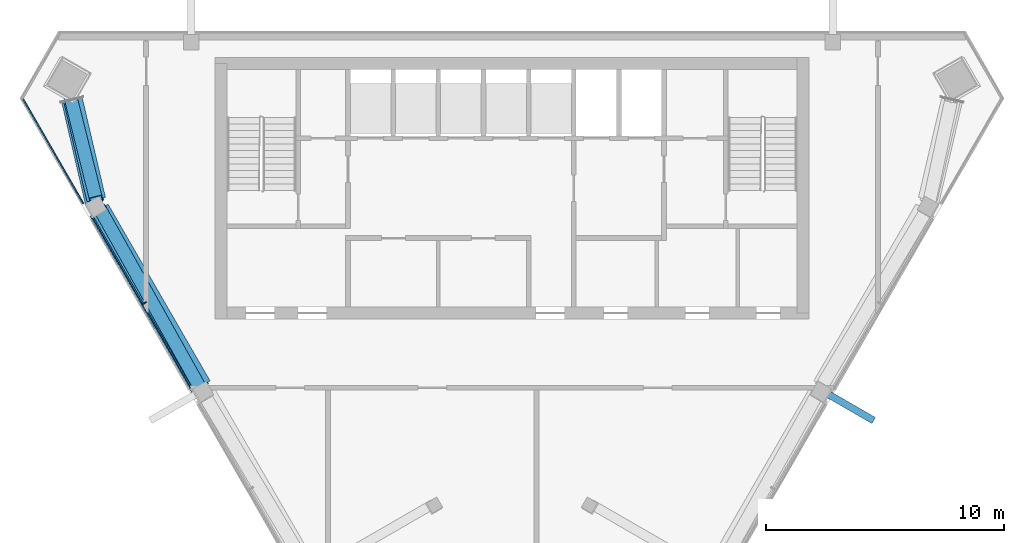
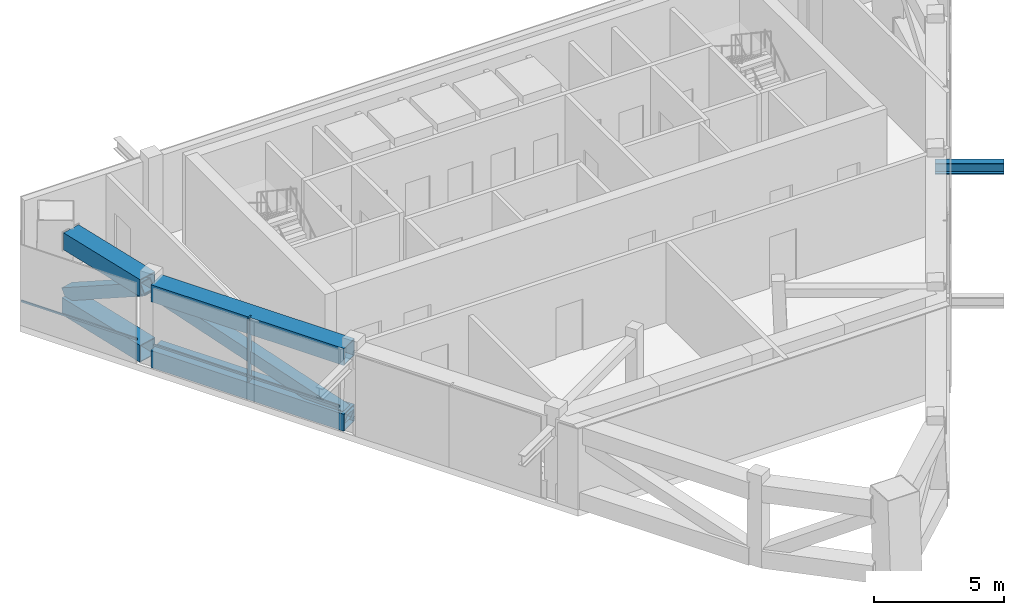
# One storey, part 3 of 9: 10 members, 1 element without a shape of its own.
"""IFC4 building model written with IfcOpenShell, lengths in metres."""

from ifc_helpers import new_model, si_unit, direction, frame, origin, origin_2d, place, context, subcontext, project, spatial, rectangle, hollow_rectangle, i_section, extrude, material, layer, layer_set, material_profile, profile_set, type_object, element, aggregate, save


model = new_model("IFC4")

# Units and contexts
model_context = context("Model", 3, precision=1e-05, world=origin(), true_north=direction((0.0, 1.0)))
body_context = subcontext(model_context, "Body", "Model", "MODEL_VIEW")
ifc_project = project(units=[si_unit("LENGTHUNIT", "METRE"), si_unit("AREAUNIT", "SQUARE_METRE"), si_unit("VOLUMEUNIT", "CUBIC_METRE"), si_unit("PLANEANGLEUNIT", "RADIAN"), si_unit("MASSUNIT", "GRAM", prefix="KILO")], contexts=[model_context])

# Site, building, storey
site_placement = place(None, origin())
site = spatial("IfcSite", under=ifc_project, at=site_placement, CompositionType="ELEMENT")
building_placement = place(site_placement, origin())
building = spatial("IfcBuilding", under=site, at=building_placement, Name="Altiplano Prism Tower", CompositionType="ELEMENT")
storey_placement = place(building_placement, frame((0.0, 0.0, 343.0)))
storey = spatial("IfcBuildingStorey", under=building, at=storey_placement, Name="L89", CompositionType="ELEMENT", Elevation=343.0)

# Member
ifc_material_1 = material(Name="Steel S355", Category="steel")
ifc_material_profile_1 = material_profile(ifc_material_1, i_section(OverallWidth=0.300048828125, OverallDepth=0.5, WebThickness=0.014404296875, FlangeThickness=0.028076171875, FilletRadius=0.027099609375, at=origin_2d()), Name="Brace bracket HEB 500")
ifc_profile_set_1 = profile_set([ifc_material_profile_1], Name="Steel S355")
member_type_1 = type_object("IfcMemberType", Name="Brace bracket HEB 500", PredefinedType="STRUT", material=ifc_profile_set_1)
member_1_placement = place(storey_placement, frame((97.93212890625, 89.945068359375, 3.104736328125), z_axis=(0.866029095148, -0.499993606316, 0.0), x_axis=(0.499993606316, 0.866029095148, 0.0)))
element("IfcMember", 1, at=member_1_placement, inside=storey, type_object=member_type_1, Name="Brace bracket 2.347.2", PredefinedType="STRUT", context=body_context, shape_type="SweptSolid", body=[
    extrude(i_section(OverallWidth=0.300048828125, OverallDepth=0.5, WebThickness=0.014404296875, FlangeThickness=0.028076171875, FilletRadius=0.027099609375, at=origin_2d()), origin(), (0.0, 0.0, 1.0), 2.64990234375),
])

# Curtain wall, members
ifc_material_2 = material(Name="Aluminium and glass", Category="aluminium")
ifc_layer = layer(ifc_material_2, 0.320068359375)
ifc_layer_set = layer_set([ifc_layer], Name="Aluminium and glass")
curtain_wall_type = type_object("IfcCurtainWallType", Name="CW6 louvred plant-floor curtain wall", PredefinedType="NOTDEFINED", material=ifc_layer_set)
curtain_wall_placement = place(storey_placement, origin())
curtain_wall = element("IfcCurtainWall", 2, at=curtain_wall_placement, inside=storey, type_object=curtain_wall_type, Name="CW6 curtain wall south-west face L89", PredefinedType="NOTDEFINED")
ifc_material_3 = material(Name="Aluminium", Category="aluminium")
ifc_material_profile_2 = material_profile(ifc_material_3, rectangle(XDim=0.199951171875, YDim=0.06005859375, at=origin_2d()), Name="CW6 mullion 60 x 200")
ifc_profile_set_2 = profile_set([ifc_material_profile_2], Name="Aluminium")
member_type_2 = type_object("IfcMemberType", Name="CW6 mullion 60 x 200", PredefinedType="MULLION", material=ifc_profile_set_2)
member_2_placement = place(storey_placement, frame((69.525390625, 93.5654296875, 0.0), z_axis=(0.0, 0.0, 1.0), x_axis=(0.866025401524, 0.500000003915, 0.0)))
member_2 = element("IfcMember", 3, at=member_2_placement, type_object=member_type_2, Name="CW6 mullion", PredefinedType="MULLION", context=body_context, shape_type="SweptSolid", body=[
    extrude(rectangle(XDim=0.199951171875, YDim=0.06005859375, at=origin_2d()), origin(), (0.0, 0.0, 1.0), 3.800048828125),
])
ifc_material_profile_3 = material_profile(ifc_material_3, rectangle(XDim=0.06005859375, YDim=0.080078125, at=origin_2d()), Name="CW6 transom 80 x 60")
ifc_profile_set_3 = profile_set([ifc_material_profile_3], Name="Aluminium")
member_type_3 = type_object("IfcMemberType", Name="CW6 transom 80 x 60", PredefinedType="USERDEFINED", material=ifc_profile_set_3)
member_3_placement = place(storey_placement, frame((64.369384765625, 102.23583984375, 1.10009765625), z_axis=(0.500015500458, -0.866016454406, 0.0), x_axis=(0.866016454406, 0.500015500458, 0.0)))
member_3 = element("IfcMember", 4, at=member_3_placement, type_object=member_type_3, Name="CW6 transom", ObjectType="TRANSOM", PredefinedType="USERDEFINED", context=body_context, shape_type="SweptSolid", body=[
    extrude(rectangle(XDim=0.06005859375, YDim=0.080078125, at=origin_2d()), origin(), (0.0, 0.0, 1.0), 5.168212890625),
])
member_4_placement = place(storey_placement, frame((67.3251953125, 97.1162109375, 1.10009765625), z_axis=(0.500012536837, -0.866018165517, 0.0), x_axis=(0.866018165517, 0.500012536837, 0.0)))
member_4 = element("IfcMember", 5, at=member_4_placement, type_object=member_type_3, Name="CW6 transom", ObjectType="TRANSOM", PredefinedType="USERDEFINED", context=body_context, shape_type="SweptSolid", body=[
    extrude(rectangle(XDim=0.06005859375, YDim=0.080078125, at=origin_2d()), origin(), (0.0, 0.0, 1.0), 8.256591796875),
])
aggregate(curtain_wall, [member_3, member_2, member_4])

# Members
ifc_material_profile_4 = material_profile(ifc_material_1, hollow_rectangle(XDim=0.800048828125, YDim=0.800048828125, WallThickness=0.0400390625, at=origin_2d()), Name="Transfer chord Box 800x800x40")
ifc_profile_set_4 = profile_set([ifc_material_profile_4], Name="Steel S355")
member_type_4 = type_object("IfcMemberType", Name="Transfer chord Box 800x800x40", PredefinedType="CHORD", material=ifc_profile_set_4)
member_5_placement = place(storey_placement, frame((66.438232421875, 102.093505859375, 0.39990234375), z_axis=(0.226196451861, -0.974081703537, 0.0), x_axis=(0.974081703537, 0.226196451861, 0.0)))
element("IfcMember", 6, at=member_5_placement, inside=storey, type_object=member_type_4, Name="Transfer truss edge 1 chord b1", PredefinedType="CHORD", context=body_context, shape_type="SweptSolid", body=[
    extrude(hollow_rectangle(XDim=0.800048828125, YDim=0.800048828125, WallThickness=0.0400390625, at=origin_2d()), origin(), (0.0, 0.0, 1.0), 4.400390625),
])
member_6_placement = place(storey_placement, frame((66.523681640625, 102.121337890625, 3.39990234375), z_axis=(0.22652598902, -0.97400512129, 0.0), x_axis=(0.97400512129, 0.22652598902, 0.0)))
element("IfcMember", 7, at=member_6_placement, inside=storey, type_object=member_type_4, Name="Transfer truss edge 1 chord t1", PredefinedType="CHORD", context=body_context, shape_type="SweptSolid", body=[
    extrude(hollow_rectangle(XDim=0.800048828125, YDim=0.800048828125, WallThickness=0.0400390625, at=origin_2d()), origin(), (0.0, 0.0, 1.0), 4.31103515625),
])
for number, where, z_axis, x_axis, name in (
    (8, (67.5859375, 97.41552734375, 0.39990234375), (0.499990619765, -0.866030819398, 0.0), (0.866030819398, 0.499990619765, 0.0), "Transfer truss edge 1 chord b2"),
    (9, (67.652587890625, 97.531005859375, 3.39990234375), (0.499990619765, -0.866030819398, 0.0), (0.866030819398, 0.499990619765, 0.0), "Transfer truss edge 1 chord t2"),
):
    element("IfcMember", number, at=place(storey_placement, frame(where, z_axis=z_axis, x_axis=x_axis)), inside=storey, type_object=member_type_4, Name=name, PredefinedType="CHORD", context=body_context, shape_type="SweptSolid", body=[
        extrude(hollow_rectangle(XDim=0.800048828125, YDim=0.800048828125, WallThickness=0.0400390625, at=origin_2d()), origin(), (0.0, 0.0, 1.0), 8.590087890625),
    ])
ifc_material_profile_5 = material_profile(ifc_material_1, hollow_rectangle(XDim=0.550048828125, YDim=0.550048828125, WallThickness=0.030029296875, at=origin_2d()), Name="Transfer diagonal Box 550x550x30")
ifc_profile_set_5 = profile_set([ifc_material_profile_5], Name="Steel S355")
member_type_5 = type_object("IfcMemberType", Name="Transfer diagonal Box 550x550x30", PredefinedType="BRACE", material=ifc_profile_set_5)
member_7_placement = place(storey_placement, frame((66.44287109375, 102.135986328125, 0.865478515625), z_axis=(0.212100576583, -0.848107517484, 0.48551723368), x_axis=(0.970122661642, 0.24261496526, 0.0)))
element("IfcMember", 10, at=member_7_placement, inside=storey, type_object=member_type_5, Name="Transfer truss edge 1 diagonal 1", PredefinedType="BRACE", context=body_context, shape_type="SweptSolid", body=[
    extrude(hollow_rectangle(XDim=0.550048828125, YDim=0.550048828125, WallThickness=0.030029296875, at=origin_2d()), origin(), (0.0, 0.0, 1.0), 4.96923828125),
])
member_8_placement = place(storey_placement, frame((67.650146484375, 97.529541015625, 3.332275390625), z_axis=(0.464187255876, -0.828163824318, -0.31412556657), x_axis=(0.87231937019, 0.488936515707, 0.0)))
element("IfcMember", 11, at=member_8_placement, inside=storey, type_object=member_type_5, Name="Transfer truss edge 1 diagonal 2", PredefinedType="BRACE", context=body_context, shape_type="SweptSolid", body=[
    extrude(hollow_rectangle(XDim=0.550048828125, YDim=0.550048828125, WallThickness=0.030029296875, at=origin_2d()), origin(), (0.0, 0.0, 1.0), 9.118896484375),
])

save(model, "model.ifc")
